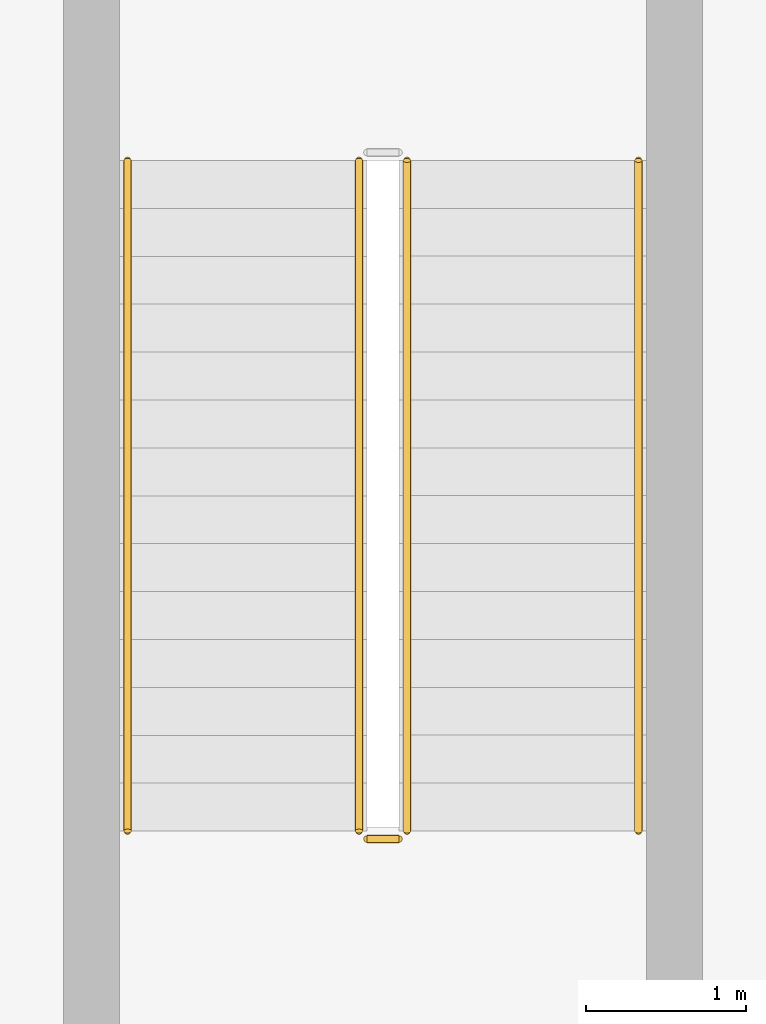
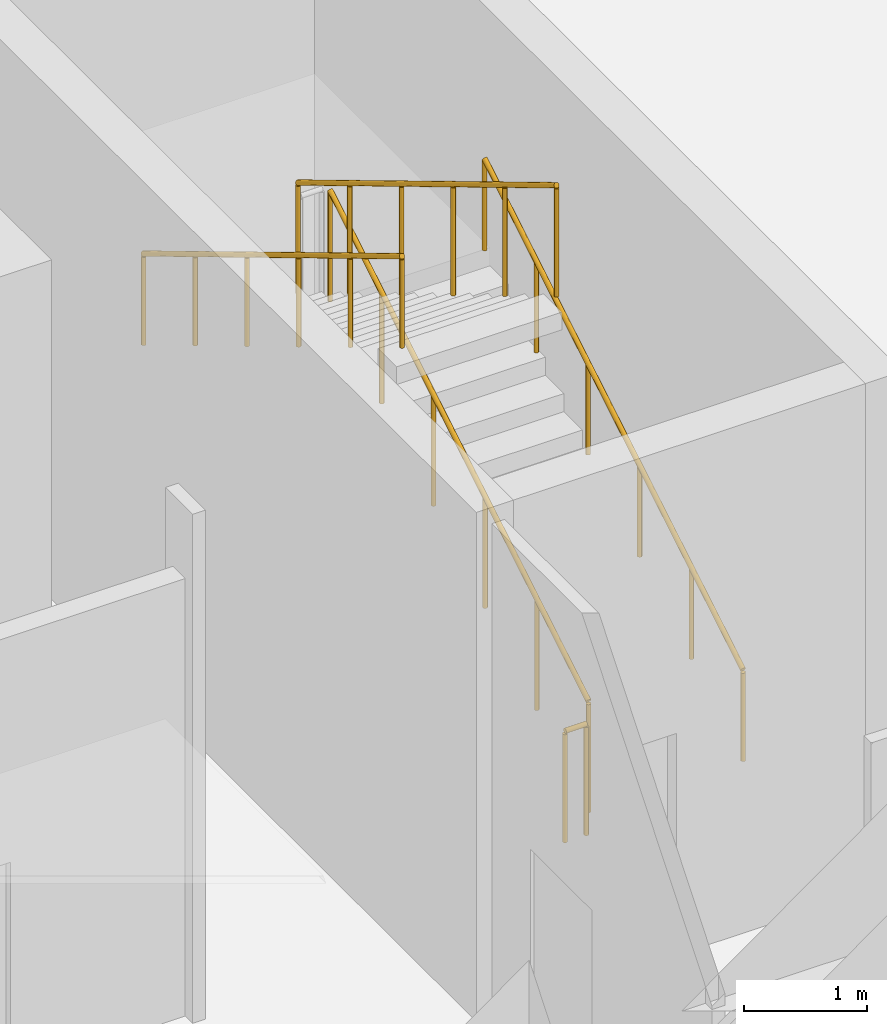
# One storey, part 64 of 74: 5 railings.
"""IFC4 building model written with IfcOpenShell, lengths in metres."""

from ifc_helpers import new_model, si_unit, direction, frame, origin, origin_2d, place, context, subcontext, project, spatial, circle, extrude, material, type_object, element, save


model = new_model("IFC4")

# Units and contexts
model_context = context("Model", 3, precision=1e-05, world=origin(), true_north=direction((0.0, 1.0)))
body_context = subcontext(model_context, "Body", "Model", "MODEL_VIEW")
ifc_project = project(units=[si_unit("LENGTHUNIT", "METRE"), si_unit("AREAUNIT", "SQUARE_METRE"), si_unit("VOLUMEUNIT", "CUBIC_METRE"), si_unit("PLANEANGLEUNIT", "RADIAN"), si_unit("MASSUNIT", "GRAM", prefix="KILO")], contexts=[model_context])

# Site, building, storey
site_placement = place(None, origin())
site = spatial("IfcSite", under=ifc_project, at=site_placement, CompositionType="ELEMENT")
building_placement = place(site_placement, origin())
building = spatial("IfcBuilding", under=site, at=building_placement, Name="Soyqirgoq Riverine Aquarium", CompositionType="ELEMENT")
storey_placement = place(building_placement, origin())
storey = spatial("IfcBuildingStorey", under=building, at=storey_placement, Name="L01", CompositionType="ELEMENT", Elevation=0.0)

# Railings
ifc_material_1 = material(Name="Brushed stainless steel 316L tubular handrail", Category="steel")
railing_type_1 = type_object("IfcRailingType", Name="StairPitchHandrail_920", PredefinedType="HANDRAIL", material=ifc_material_1)
railing_1_placement = place(storey_placement, frame((127.75, 62.050048828125, 0.179931640625)))
element("IfcRailing", 1, at=railing_1_placement, inside=storey, type_object=railing_type_1, Name="L01 ST-8 stair handrail 1", PredefinedType="HANDRAIL", context=body_context, shape_type="SweptSolid", body=[
    extrude(circle(Radius=0.02392578125, at=origin_2d()), frame((0.0, 0.0, 0.89990234375), z_axis=(0.0, 0.857488527567, 0.514503085598), x_axis=(-1.0, 0.0, 0.0)), (0.0, 0.0, 1.0), 4.89794921875),
    extrude(circle(Radius=0.02099609375, at=origin_2d()), origin(), (0.0, 0.0, 1.0), 0.875732421875),
    extrude(circle(Radius=0.02099609375, at=origin_2d()), frame((0.0, 0.840087890625, 0.50390625)), (0.0, 0.0, 1.0), 0.875732421875),
    extrude(circle(Radius=0.02099609375, at=origin_2d()), frame((0.0, 1.679931640625, 1.008056640625)), (0.0, 0.0, 1.0), 0.875732421875),
    extrude(circle(Radius=0.02099609375, at=origin_2d()), frame((0.0, 2.52001953125, 1.511962890625)), (0.0, 0.0, 1.0), 0.875732421875),
    extrude(circle(Radius=0.02099609375, at=origin_2d()), frame((0.0, 3.35986328125, 2.01611328125)), (0.0, 0.0, 1.0), 0.875732421875),
    extrude(circle(Radius=0.02099609375, at=origin_2d()), frame((0.0, 4.199951171875, 2.52001953125)), (0.0, 0.0, 1.0), 0.875732421875),
])
railing_2_placement = place(storey_placement, frame((124.550048828125, 66.25, 2.8798828125)))
element("IfcRailing", 2, at=railing_2_placement, inside=storey, type_object=railing_type_1, Name="L01 ST-8 stair handrail 2", PredefinedType="HANDRAIL", context=body_context, shape_type="SweptSolid", body=[
    extrude(circle(Radius=0.02392578125, at=origin_2d()), frame((0.0, 0.0, 0.89990234375), z_axis=(0.0, -0.857488527567, 0.514503085598), x_axis=(1.0, 0.0, 0.0)), (0.0, 0.0, 1.0), 4.89794921875),
    extrude(circle(Radius=0.02099609375, at=origin_2d()), origin(), (0.0, 0.0, 1.0), 0.875732421875),
    extrude(circle(Radius=0.02099609375, at=origin_2d()), frame((0.0, -0.840087890625, 0.50390625)), (0.0, 0.0, 1.0), 0.875732421875),
    extrude(circle(Radius=0.02099609375, at=origin_2d()), frame((0.0, -1.679931640625, 1.008056640625)), (0.0, 0.0, 1.0), 0.875732421875),
    extrude(circle(Radius=0.02099609375, at=origin_2d()), frame((0.0, -2.52001953125, 1.511962890625)), (0.0, 0.0, 1.0), 0.875732421875),
    extrude(circle(Radius=0.02099609375, at=origin_2d()), frame((0.0, -3.35986328125, 2.01611328125)), (0.0, 0.0, 1.0), 0.875732421875),
    extrude(circle(Radius=0.02099609375, at=origin_2d()), frame((0.0, -4.199951171875, 2.52001953125)), (0.0, 0.0, 1.0), 0.875732421875),
])
ifc_material_2 = material(Name="Painted steel infill stair-well guardrail", Category="steel")
railing_type_2 = type_object("IfcRailingType", Name="StairWellGuard_1120", PredefinedType="GUARDRAIL", material=ifc_material_2)
railing_3_placement = place(storey_placement, frame((126.300048828125, 62.050048828125, 0.179931640625)))
element("IfcRailing", 3, at=railing_3_placement, inside=storey, type_object=railing_type_2, Name="L01 ST-8 stair guard 1", PredefinedType="GUARDRAIL", context=body_context, shape_type="SweptSolid", body=[
    extrude(circle(Radius=0.02392578125, at=origin_2d()), frame((0.0, 0.0, 1.09619140625), z_axis=(0.0, 0.857488527567, 0.514503085598), x_axis=(-1.0, 0.0, 0.0)), (0.0, 0.0, 1.0), 4.89794921875),
    extrude(circle(Radius=0.02099609375, at=origin_2d()), origin(), (0.0, 0.0, 1.0), 1.072021484375),
    extrude(circle(Radius=0.02099609375, at=origin_2d()), frame((0.0, 0.840087890625, 0.50390625)), (0.0, 0.0, 1.0), 1.072021484375),
    extrude(circle(Radius=0.02099609375, at=origin_2d()), frame((0.0, 1.679931640625, 1.008056640625)), (0.0, 0.0, 1.0), 1.072021484375),
    extrude(circle(Radius=0.02099609375, at=origin_2d()), frame((0.0, 2.52001953125, 1.511962890625)), (0.0, 0.0, 1.0), 1.072021484375),
    extrude(circle(Radius=0.02099609375, at=origin_2d()), frame((0.0, 3.35986328125, 2.01611328125)), (0.0, 0.0, 1.0), 1.072021484375),
    extrude(circle(Radius=0.02099609375, at=origin_2d()), frame((0.0, 4.199951171875, 2.52001953125)), (0.0, 0.0, 1.0), 1.072021484375),
])
railing_4_placement = place(storey_placement, frame((126.0, 66.25, 2.8798828125)))
element("IfcRailing", 4, at=railing_4_placement, inside=storey, type_object=railing_type_2, Name="L01 ST-8 stair guard 3", PredefinedType="GUARDRAIL", context=body_context, shape_type="SweptSolid", body=[
    extrude(circle(Radius=0.02392578125, at=origin_2d()), frame((0.0, 0.0, 1.09619140625), z_axis=(0.0, -0.857488527567, 0.514503085598), x_axis=(1.0, 0.0, 0.0)), (0.0, 0.0, 1.0), 4.89794921875),
    extrude(circle(Radius=0.02099609375, at=origin_2d()), origin(), (0.0, 0.0, 1.0), 1.072021484375),
    extrude(circle(Radius=0.02099609375, at=origin_2d()), frame((0.0, -0.840087890625, 0.50390625)), (0.0, 0.0, 1.0), 1.072021484375),
    extrude(circle(Radius=0.02099609375, at=origin_2d()), frame((0.0, -1.679931640625, 1.008056640625)), (0.0, 0.0, 1.0), 1.072021484375),
    extrude(circle(Radius=0.02099609375, at=origin_2d()), frame((0.0, -2.52001953125, 1.511962890625)), (0.0, 0.0, 1.0), 1.072021484375),
    extrude(circle(Radius=0.02099609375, at=origin_2d()), frame((0.0, -3.35986328125, 2.01611328125)), (0.0, 0.0, 1.0), 1.072021484375),
    extrude(circle(Radius=0.02099609375, at=origin_2d()), frame((0.0, -4.199951171875, 2.52001953125)), (0.0, 0.0, 1.0), 1.072021484375),
])
railing_5_placement = place(storey_placement, frame((126.25, 62.0, 0.0)))
element("IfcRailing", 5, at=railing_5_placement, inside=storey, type_object=railing_type_2, Name="L01 ST-8 stair guard 4", PredefinedType="GUARDRAIL", context=body_context, shape_type="SweptSolid", body=[
    extrude(circle(Radius=0.02392578125, at=origin_2d()), frame((0.0, 0.0, 1.09619140625), z_axis=(-1.0, 0.0, 0.0), x_axis=(0.0, -1.0, 0.0)), (0.0, 0.0, 1.0), 0.199951171875),
    extrude(circle(Radius=0.02099609375, at=origin_2d()), origin(), (0.0, 0.0, 1.0), 1.072021484375),
    extrude(circle(Radius=0.02099609375, at=origin_2d()), frame((-0.199951171875, 0.0, 0.0)), (0.0, 0.0, 1.0), 1.072021484375),
])

save(model, "model.ifc")
